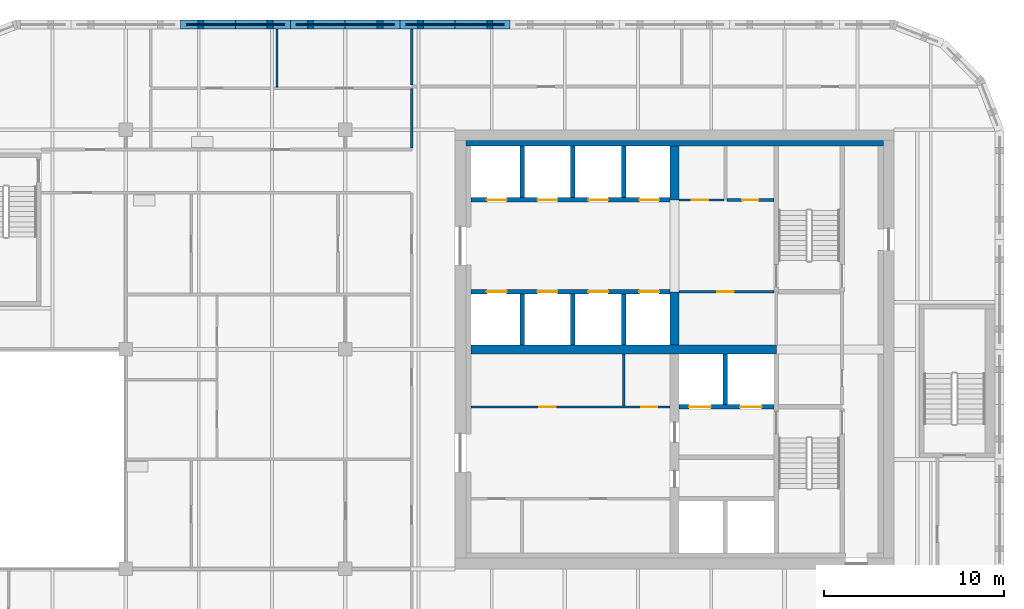
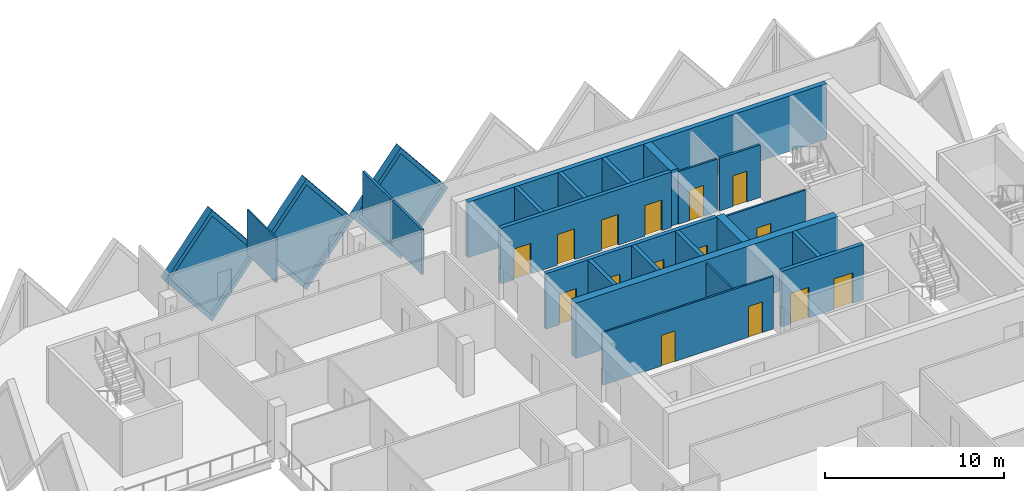
# One storey, part 8 of 12: 25 walls, 15 doors, 3 plates, 18 openings.
"""IFC4 building model written with IfcOpenShell, lengths in metres."""

from ifc_helpers import new_model, si_unit, direction, frame, frame_2d, origin, place, context, subcontext, project, spatial, polyline, rectangle, outline, extrude, faceted_brep, source, transform, mapped, material, layer, layer_set, type_object, element, fill, save


model = new_model("IFC4")

# Units and contexts
model_context = context("Model", 3, precision=1e-05, world=origin(), true_north=direction((0.0, 1.0)))
body_context = subcontext(model_context, "Body", "Model", "MODEL_VIEW")
ifc_project = project(units=[si_unit("LENGTHUNIT", "METRE"), si_unit("AREAUNIT", "SQUARE_METRE"), si_unit("VOLUMEUNIT", "CUBIC_METRE"), si_unit("PLANEANGLEUNIT", "RADIAN"), si_unit("MASSUNIT", "GRAM", prefix="KILO")], contexts=[model_context])

# Site, building, storey
site_placement = place(None, origin())
site = spatial("IfcSite", under=ifc_project, at=site_placement, CompositionType="ELEMENT")
building_placement = place(site_placement, origin())
building = spatial("IfcBuilding", under=site, at=building_placement, Name="Tessera Gate Towers", CompositionType="ELEMENT")
storey_placement = place(building_placement, frame((0.0, 0.0, 163.0)))
storey = spatial("IfcBuildingStorey", under=building, at=storey_placement, Name="L40", CompositionType="ELEMENT", Elevation=163.0)

# Wall, openings, doors
ifc_material_1 = material(Name="Concrete C40/50", Category="concrete")
ifc_layer_1 = layer(ifc_material_1, 0.25)
ifc_layer_set_1 = layer_set([ifc_layer_1], Name="CORE ENCLOSURE WALL 250")
wall_type_1 = type_object("IfcWallType", Name="CORE ENCLOSURE WALL 250", PredefinedType="SOLIDWALL", material=ifc_layer_set_1)
wall_1_placement = place(storey_placement, frame((31.39990234375, 39.800048828125, 0.0), z_axis=(0.0, 0.0, 1.0), x_axis=(1.0, 0.0, 0.0)))
wall_1 = element("IfcWall", 1, at=wall_1_placement, inside=storey, type_object=wall_type_1, Name="L40 shaft and stair enclosure wall", PredefinedType="SOLIDWALL", context=body_context, shape_type="SweptSolid", body=[
    extrude(rectangle(XDim=11.050048828125, YDim=0.25, at=frame_2d((5.52490234375, 0.0))), origin(), (0.0, 0.0, 1.0), 3.800048828125),
])
shared_shape_1 = source(origin(), body_context, "Body", "SweptSolid", [
    extrude(rectangle(XDim=1.10009765625, YDim=2.10009765625, at=frame_2d((0.550048828125, 1.050048828125))), frame((0.0, 0.135009765625, 0.0), z_axis=(0.0, -1.0, 0.0), x_axis=(1.0, 0.0, 0.0)), (0.0, 0.0, 1.0), 0.27001953125),
])
opening_1_placement = place(wall_1_placement, frame((0.862548828125, 0.0, 0.0)))
opening_1 = element("IfcOpeningElement", 2, at=opening_1_placement, cuts=wall_1, Name="Opening LD-HR1", PredefinedType="OPENING", context=body_context, shape_type="MappedRepresentation", body=[
    mapped(shared_shape_1, transform((0.0, 0.0, 0.0), scale=1.0)),
])
opening_2_placement = place(wall_1_placement, frame((3.6875, 0.0, 0.0)))
opening_2 = element("IfcOpeningElement", 3, at=opening_2_placement, cuts=wall_1, Name="Opening LD-HR2", PredefinedType="OPENING", context=body_context, shape_type="MappedRepresentation", body=[
    mapped(shared_shape_1, transform((0.0, 0.0, 0.0), scale=1.0)),
])
opening_3_placement = place(wall_1_placement, frame((6.512451171875, 0.0, 0.0)))
opening_3 = element("IfcOpeningElement", 4, at=opening_3_placement, cuts=wall_1, Name="Opening LD-HR3", PredefinedType="OPENING", context=body_context, shape_type="MappedRepresentation", body=[
    mapped(shared_shape_1, transform((0.0, 0.0, 0.0), scale=1.0)),
])
opening_4_placement = place(wall_1_placement, frame((9.33740234375, 0.0, 0.0)))
opening_4 = element("IfcOpeningElement", 5, at=opening_4_placement, cuts=wall_1, Name="Opening LD-HR4", PredefinedType="OPENING", context=body_context, shape_type="MappedRepresentation", body=[
    mapped(shared_shape_1, transform((0.0, 0.0, 0.0), scale=1.0)),
])
ifc_material_2 = material(Name="Stainless steel", Category="steel")
door_type_1 = type_object("IfcDoorType", Name="CORE DOOR LD 1100x2100", OperationType="DOUBLE_DOOR_SLIDING", PredefinedType="DOOR", material=ifc_material_2)
shared_shape_2 = source(origin(), body_context, "Body", "SweptSolid", [
    extrude(rectangle(XDim=1.10009765625, YDim=2.10009765625, at=frame_2d((0.550048828125, 1.050048828125))), frame((0.0, 0.02490234375, 0.0), z_axis=(0.0, -1.0, 0.0), x_axis=(1.0, 0.0, 0.0)), (0.0, 0.0, 1.0), 0.050048828125),
])
door_1_placement = place(opening_1_placement, origin())
door_1 = element("IfcDoor", 6, at=door_1_placement, inside=storey, type_object=door_type_1, Name="Landing door HR1 L40", OperationType="DOUBLE_DOOR_SLIDING", OverallHeight=2.10009765625, OverallWidth=1.10009765625, PredefinedType="DOOR", context=body_context, shape_type="MappedRepresentation", body=[
    mapped(shared_shape_2, transform((0.0, 0.0, 0.0), scale=1.0)),
])
fill(opening_1, door_1)
door_2_placement = place(opening_2_placement, origin())
door_2 = element("IfcDoor", 7, at=door_2_placement, inside=storey, type_object=door_type_1, Name="Landing door HR2 L40", OperationType="DOUBLE_DOOR_SLIDING", OverallHeight=2.10009765625, OverallWidth=1.10009765625, PredefinedType="DOOR", context=body_context, shape_type="MappedRepresentation", body=[
    mapped(shared_shape_2, transform((0.0, 0.0, 0.0), scale=1.0)),
])
fill(opening_2, door_2)
door_3_placement = place(opening_3_placement, origin())
door_3 = element("IfcDoor", 8, at=door_3_placement, inside=storey, type_object=door_type_1, Name="Landing door HR3 L40", OperationType="DOUBLE_DOOR_SLIDING", OverallHeight=2.10009765625, OverallWidth=1.10009765625, PredefinedType="DOOR", context=body_context, shape_type="MappedRepresentation", body=[
    mapped(shared_shape_2, transform((0.0, 0.0, 0.0), scale=1.0)),
])
fill(opening_3, door_3)
door_4_placement = place(opening_4_placement, origin())
door_4 = element("IfcDoor", 9, at=door_4_placement, inside=storey, type_object=door_type_1, Name="Landing door HR4 L40", OperationType="DOUBLE_DOOR_SLIDING", OverallHeight=2.10009765625, OverallWidth=1.10009765625, PredefinedType="DOOR", context=body_context, shape_type="MappedRepresentation", body=[
    mapped(shared_shape_2, transform((0.0, 0.0, 0.0), scale=1.0)),
])
fill(opening_4, door_4)

wall_2_placement = place(storey_placement, frame((42.449951171875, 44.89990234375, 0.0), z_axis=(0.0, 0.0, 1.0), x_axis=(-1.0, 0.0, 0.0)))
wall_2 = element("IfcWall", 10, at=wall_2_placement, inside=storey, type_object=wall_type_1, Name="L40 shaft and stair enclosure wall", PredefinedType="SOLIDWALL", context=body_context, shape_type="SweptSolid", body=[
    extrude(rectangle(XDim=11.050048828125, YDim=0.25, at=frame_2d((5.52490234375, 0.0))), origin(), (0.0, 0.0, 1.0), 3.800048828125),
])
opening_5_placement = place(wall_2_placement, frame((9.08740234375, 0.0, 0.0)))
opening_5 = element("IfcOpeningElement", 11, at=opening_5_placement, cuts=wall_2, Name="Opening LD-HR5", PredefinedType="OPENING", context=body_context, shape_type="MappedRepresentation", body=[
    mapped(shared_shape_1, transform((0.0, 0.0, 0.0), scale=1.0)),
])
opening_6_placement = place(wall_2_placement, frame((6.262451171875, 0.0, 0.0)))
opening_6 = element("IfcOpeningElement", 12, at=opening_6_placement, cuts=wall_2, Name="Opening LD-HR6", PredefinedType="OPENING", context=body_context, shape_type="MappedRepresentation", body=[
    mapped(shared_shape_1, transform((0.0, 0.0, 0.0), scale=1.0)),
])
opening_7_placement = place(wall_2_placement, frame((3.4375, 0.0, 0.0)))
opening_7 = element("IfcOpeningElement", 13, at=opening_7_placement, cuts=wall_2, Name="Opening LD-HR7", PredefinedType="OPENING", context=body_context, shape_type="MappedRepresentation", body=[
    mapped(shared_shape_1, transform((0.0, 0.0, 0.0), scale=1.0)),
])
opening_8_placement = place(wall_2_placement, frame((0.612548828125, 0.0, 0.0)))
opening_8 = element("IfcOpeningElement", 14, at=opening_8_placement, cuts=wall_2, Name="Opening LD-HR8", PredefinedType="OPENING", context=body_context, shape_type="MappedRepresentation", body=[
    mapped(shared_shape_1, transform((0.0, 0.0, 0.0), scale=1.0)),
])
door_5_placement = place(opening_5_placement, origin())
door_5 = element("IfcDoor", 15, at=door_5_placement, inside=storey, type_object=door_type_1, Name="Landing door HR5 L40", OperationType="DOUBLE_DOOR_SLIDING", OverallHeight=2.10009765625, OverallWidth=1.10009765625, PredefinedType="DOOR", context=body_context, shape_type="MappedRepresentation", body=[
    mapped(shared_shape_2, transform((0.0, 0.0, 0.0), scale=1.0)),
])
fill(opening_5, door_5)
door_6_placement = place(opening_6_placement, origin())
door_6 = element("IfcDoor", 16, at=door_6_placement, inside=storey, type_object=door_type_1, Name="Landing door HR6 L40", OperationType="DOUBLE_DOOR_SLIDING", OverallHeight=2.10009765625, OverallWidth=1.10009765625, PredefinedType="DOOR", context=body_context, shape_type="MappedRepresentation", body=[
    mapped(shared_shape_2, transform((0.0, 0.0, 0.0), scale=1.0)),
])
fill(opening_6, door_6)
door_7_placement = place(opening_7_placement, origin())
door_7 = element("IfcDoor", 17, at=door_7_placement, inside=storey, type_object=door_type_1, Name="Landing door HR7 L40", OperationType="DOUBLE_DOOR_SLIDING", OverallHeight=2.10009765625, OverallWidth=1.10009765625, PredefinedType="DOOR", context=body_context, shape_type="MappedRepresentation", body=[
    mapped(shared_shape_2, transform((0.0, 0.0, 0.0), scale=1.0)),
])
fill(opening_7, door_7)
door_8_placement = place(opening_8_placement, origin())
door_8 = element("IfcDoor", 18, at=door_8_placement, inside=storey, type_object=door_type_1, Name="Landing door HR8 L40", OperationType="DOUBLE_DOOR_SLIDING", OverallHeight=2.10009765625, OverallWidth=1.10009765625, PredefinedType="DOOR", context=body_context, shape_type="MappedRepresentation", body=[
    mapped(shared_shape_2, transform((0.0, 0.0, 0.0), scale=1.0)),
])
fill(opening_8, door_8)

wall_3_placement = place(storey_placement, frame((48.22509765625, 33.39990234375, 0.0), z_axis=(0.0, 0.0, 1.0), x_axis=(-1.0, 0.0, 0.0)))
wall_3 = element("IfcWall", 19, at=wall_3_placement, inside=storey, type_object=wall_type_1, Name="L40 shaft and stair enclosure wall", PredefinedType="SOLIDWALL", context=body_context, shape_type="SweptSolid", body=[
    extrude(rectangle(XDim=5.275146484375, YDim=0.25, at=frame_2d((2.6376953125, 0.0))), origin(), (0.0, 0.0, 1.0), 3.800048828125),
])
shared_shape_3 = source(origin(), body_context, "Body", "SweptSolid", [
    extrude(rectangle(XDim=1.199951171875, YDim=2.10009765625, at=frame_2d((0.60009765625, 1.050048828125))), frame((0.0, 0.135009765625, 0.0), z_axis=(0.0, -1.0, 0.0), x_axis=(1.0, 0.0, 0.0)), (0.0, 0.0, 1.0), 0.27001953125),
])
opening_9_placement = place(wall_3_placement, frame((3.512451171875, 0.0, 0.0)))
opening_9 = element("IfcOpeningElement", 20, at=opening_9_placement, cuts=wall_3, Name="Opening LD-FF1", PredefinedType="OPENING", context=body_context, shape_type="MappedRepresentation", body=[
    mapped(shared_shape_3, transform((0.0, 0.0, 0.0), scale=1.0)),
])
opening_10_placement = place(wall_3_placement, frame((0.6875, 0.0, 0.0)))
opening_10 = element("IfcOpeningElement", 21, at=opening_10_placement, cuts=wall_3, Name="Opening LD-FF2", PredefinedType="OPENING", context=body_context, shape_type="MappedRepresentation", body=[
    mapped(shared_shape_3, transform((0.0, 0.0, 0.0), scale=1.0)),
])
ifc_material_3 = material(Name="Stainless steel", Category="steel")
door_type_2 = type_object("IfcDoorType", Name="CORE DOOR LD1200 1200x2100", OperationType="DOUBLE_DOOR_SLIDING", PredefinedType="DOOR", material=ifc_material_3)
shared_shape_4 = source(origin(), body_context, "Body", "SweptSolid", [
    extrude(rectangle(XDim=1.199951171875, YDim=2.10009765625, at=frame_2d((0.60009765625, 1.050048828125))), frame((0.0, 0.02490234375, 0.0), z_axis=(0.0, -1.0, 0.0), x_axis=(1.0, 0.0, 0.0)), (0.0, 0.0, 1.0), 0.050048828125),
])
door_9_placement = place(opening_9_placement, origin())
door_9 = element("IfcDoor", 22, at=door_9_placement, inside=storey, type_object=door_type_2, Name="Landing door FF1 L40", OperationType="DOUBLE_DOOR_SLIDING", OverallHeight=2.10009765625, OverallWidth=1.199951171875, PredefinedType="DOOR", context=body_context, shape_type="MappedRepresentation", body=[
    mapped(shared_shape_4, transform((0.0, 0.0, 0.0), scale=1.0)),
])
fill(opening_9, door_9)
door_10_placement = place(opening_10_placement, origin())
door_10 = element("IfcDoor", 23, at=door_10_placement, inside=storey, type_object=door_type_2, Name="Landing door FF2 L40", OperationType="DOUBLE_DOOR_SLIDING", OverallHeight=2.10009765625, OverallWidth=1.199951171875, PredefinedType="DOOR", context=body_context, shape_type="MappedRepresentation", body=[
    mapped(shared_shape_4, transform((0.0, 0.0, 0.0), scale=1.0)),
])
fill(opening_10, door_10)

# Walls
for number, where, z_axis, x_axis, name in (
    (24, (34.22509765625, 36.85009765625, 0.0), (0.0, 0.0, 1.0), (0.0, 1.0, 0.0), "L40 shaft and stair enclosure wall"),
    (25, (37.050048828125, 36.85009765625, 0.0), (0.0, 0.0, 1.0), (0.0, 1.0, 0.0), "L40 shaft and stair enclosure wall"),
    (26, (39.875, 36.85009765625, 0.0), (0.0, 0.0, 1.0), (0.0, 1.0, 0.0), "L40 shaft and stair enclosure wall"),
):
    element("IfcWall", number, at=place(storey_placement, frame(where, z_axis=z_axis, x_axis=x_axis)), inside=storey, type_object=wall_type_1, Name=name, PredefinedType="SOLIDWALL", context=body_context, shape_type="SweptSolid", body=[
        extrude(rectangle(XDim=2.824951171875, YDim=0.25, at=frame_2d((1.41259765625, 0.0))), origin(), (0.0, 0.0, 1.0), 3.800048828125),
    ])
wall_4_placement = place(storey_placement, frame((45.52490234375, 33.52490234375, 0.0), z_axis=(0.0, 0.0, 1.0), x_axis=(0.0, 1.0, 0.0)))
element("IfcWall", 27, at=wall_4_placement, inside=storey, type_object=wall_type_1, Name="L40 shaft and stair enclosure wall", PredefinedType="SOLIDWALL", context=body_context, shape_type="SweptSolid", body=[
    extrude(rectangle(XDim=2.8251953125, YDim=0.25, at=frame_2d((1.41259765625, 0.0))), origin(), (0.0, 0.0, 1.0), 3.800048828125),
])
for number, where, z_axis, x_axis, name in (
    (28, (34.22509765625, 45.02490234375, 0.0), (0.0, 0.0, 1.0), (0.0, 1.0, 0.0), "L40 shaft and stair enclosure wall"),
    (29, (37.050048828125, 45.02490234375, 0.0), (0.0, 0.0, 1.0), (0.0, 1.0, 0.0), "L40 shaft and stair enclosure wall"),
    (30, (39.875, 45.02490234375, 0.0), (0.0, 0.0, 1.0), (0.0, 1.0, 0.0), "L40 shaft and stair enclosure wall"),
):
    element("IfcWall", number, at=place(storey_placement, frame(where, z_axis=z_axis, x_axis=x_axis)), inside=storey, type_object=wall_type_1, Name=name, PredefinedType="SOLIDWALL", context=body_context, shape_type="SweptSolid", body=[
        extrude(rectangle(XDim=2.875, YDim=0.25, at=frame_2d((1.4375, 0.0))), origin(), (0.0, 0.0, 1.0), 3.800048828125),
    ])

# Wall, openings, doors
ifc_material_4 = material(Name="Gypsum board on steel studs", Category="steel")
ifc_layer_2 = layer(ifc_material_4, 0.1201171875)
ifc_layer_set_2 = layer_set([ifc_layer_2], Name="CORE PARTITION 120")
wall_type_2 = type_object("IfcWallType", Name="CORE PARTITION 120", PredefinedType="PARTITIONING", material=ifc_layer_set_2)
wall_5_placement = place(storey_placement, frame((31.39990234375, 33.39990234375, 0.0), z_axis=(0.0, 0.0, 1.0), x_axis=(1.0, 0.0, 0.0)))
wall_5 = element("IfcWall", 31, at=wall_5_placement, inside=storey, type_object=wall_type_2, Name="L40 core partition", PredefinedType="PARTITIONING", context=body_context, shape_type="SweptSolid", body=[
    extrude(rectangle(XDim=11.050048828125, YDim=0.1201171875, at=frame_2d((5.52490234375, 0.0))), origin(), (0.0, 0.0, 1.0), 3.60009765625),
])
shared_shape_5 = source(origin(), body_context, "Body", "SweptSolid", [
    extrude(rectangle(XDim=0.89990234375, YDim=2.10009765625, at=frame_2d((0.449951171875, 1.050048828125))), frame((0.0, 0.070068359375, 0.0), z_axis=(0.0, -1.0, 0.0), x_axis=(1.0, 0.0, 0.0)), (0.0, 0.0, 1.0), 0.14013671875),
])
opening_11_placement = place(wall_5_placement, frame((3.78759765625, 0.0, 0.0)))
opening_11 = element("IfcOpeningElement", 32, at=opening_11_placement, cuts=wall_5, Name="Opening RD-T1-26-09", PredefinedType="OPENING", context=body_context, shape_type="MappedRepresentation", body=[
    mapped(shared_shape_5, transform((0.0, 0.0, 0.0), scale=1.0)),
])
opening_12_placement = place(wall_5_placement, frame((9.4375, 0.0, 0.0)))
opening_12 = element("IfcOpeningElement", 33, at=opening_12_placement, cuts=wall_5, Name="Opening RD-T1-26-10", PredefinedType="OPENING", context=body_context, shape_type="MappedRepresentation", body=[
    mapped(shared_shape_5, transform((0.0, 0.0, 0.0), scale=1.0)),
])
ifc_material_5 = material(Name="Hollow steel fire door", Category="steel")
door_type_3 = type_object("IfcDoorType", Name="CORE DOOR RD 900x2100", OperationType="NOTDEFINED", PredefinedType="DOOR", material=ifc_material_5)
shared_shape_6 = source(origin(), body_context, "Body", "SweptSolid", [
    extrude(rectangle(XDim=0.89990234375, YDim=2.10009765625, at=frame_2d((0.449951171875, 1.050048828125))), frame((0.0, 0.02490234375, 0.0), z_axis=(0.0, -1.0, 0.0), x_axis=(1.0, 0.0, 0.0)), (0.0, 0.0, 1.0), 0.050048828125),
])
door_11_placement = place(opening_11_placement, origin())
door_11 = element("IfcDoor", 34, at=door_11_placement, inside=storey, type_object=door_type_3, Name="Core room door", OperationType="SINGLE_SWING_LEFT", OverallHeight=2.10009765625, OverallWidth=0.89990234375, PredefinedType="DOOR", context=body_context, shape_type="MappedRepresentation", body=[
    mapped(shared_shape_6, transform((0.0, 0.0, 0.0), scale=1.0)),
])
fill(opening_11, door_11)
door_12_placement = place(opening_12_placement, origin())
door_12 = element("IfcDoor", 35, at=door_12_placement, inside=storey, type_object=door_type_3, Name="Core room door", OperationType="SINGLE_SWING_RIGHT", OverallHeight=2.10009765625, OverallWidth=0.89990234375, PredefinedType="DOOR", context=body_context, shape_type="MappedRepresentation", body=[
    mapped(shared_shape_6, transform((0.0, 0.0, 0.0), scale=1.0)),
])
fill(opening_12, door_12)

# Wall, opening, door
wall_6_placement = place(storey_placement, frame((48.22509765625, 39.800048828125, 0.0), z_axis=(0.0, 0.0, 1.0), x_axis=(-1.0, 0.0, 0.0)))
wall_6 = element("IfcWall", 36, at=wall_6_placement, inside=storey, type_object=wall_type_2, Name="L40 core partition", PredefinedType="PARTITIONING", context=body_context, shape_type="SweptSolid", body=[
    extrude(rectangle(XDim=5.275146484375, YDim=0.1201171875, at=frame_2d((2.6376953125, 0.0))), origin(), (0.0, 0.0, 1.0), 3.60009765625),
])
opening_13_placement = place(wall_6_placement, frame((2.25, 0.0, 0.0)))
opening_13 = element("IfcOpeningElement", 37, at=opening_13_placement, cuts=wall_6, Name="Opening RD-T1-26-12", PredefinedType="OPENING", context=body_context, shape_type="MappedRepresentation", body=[
    mapped(shared_shape_5, transform((0.0, 0.0, 0.0), scale=1.0)),
])
door_13_placement = place(opening_13_placement, origin())
door_13 = element("IfcDoor", 38, at=door_13_placement, inside=storey, type_object=door_type_3, Name="Core room door", OperationType="SINGLE_SWING_RIGHT", OverallHeight=2.10009765625, OverallWidth=0.89990234375, PredefinedType="DOOR", context=body_context, shape_type="MappedRepresentation", body=[
    mapped(shared_shape_6, transform((0.0, 0.0, 0.0), scale=1.0)),
])
fill(opening_13, door_13)

# Wall
wall_7_placement = place(storey_placement, frame((39.875, 33.4599609375, 0.0), z_axis=(0.0, 0.0, 1.0), x_axis=(0.0, 1.0, 0.0)))
element("IfcWall", 39, at=wall_7_placement, inside=storey, type_object=wall_type_2, Name="L40 core partition", PredefinedType="PARTITIONING", context=body_context, shape_type="SweptSolid", body=[
    extrude(rectangle(XDim=2.89013671875, YDim=0.1201171875, at=frame_2d((1.445068359375, 0.0))), origin(), (0.0, 0.0, 1.0), 3.60009765625),
])

# Wall, opening, door
wall_8_placement = place(storey_placement, frame((42.949951171875, 44.89990234375, 0.0), z_axis=(0.0, 0.0, 1.0), x_axis=(1.0, 0.0, 0.0)))
wall_8 = element("IfcWall", 40, at=wall_8_placement, inside=storey, type_object=wall_type_2, Name="L40 core partition", PredefinedType="PARTITIONING", context=body_context, shape_type="SweptSolid", body=[
    extrude(rectangle(XDim=2.5, YDim=0.1201171875, at=frame_2d((1.25, 0.0))), origin(), (0.0, 0.0, 1.0), 3.60009765625),
])
opening_14_placement = place(wall_8_placement, frame((0.71240234375, 0.0, 0.0)))
opening_14 = element("IfcOpeningElement", 41, at=opening_14_placement, cuts=wall_8, Name="Opening RD-T1-26-13", PredefinedType="OPENING", context=body_context, shape_type="MappedRepresentation", body=[
    mapped(shared_shape_5, transform((0.0, 0.0, 0.0), scale=1.0)),
])
door_14_placement = place(opening_14_placement, origin())
door_14 = element("IfcDoor", 42, at=door_14_placement, inside=storey, type_object=door_type_3, Name="Core room door", OperationType="SINGLE_SWING_LEFT", OverallHeight=2.10009765625, OverallWidth=0.89990234375, PredefinedType="DOOR", context=body_context, shape_type="MappedRepresentation", body=[
    mapped(shared_shape_6, transform((0.0, 0.0, 0.0), scale=1.0)),
])
fill(opening_14, door_14)

# Walls
ifc_material_6 = material(Name="Concrete C50/60", Category="concrete")
ifc_layer_3 = layer(ifc_material_6, 0.5)
ifc_layer_set_3 = layer_set([ifc_layer_3], Name="CORE SPINE WALL 500 C50/60")
wall_type_3 = type_object("IfcWallType", Name="CORE SPINE WALL 500 C50/60", PredefinedType="SHEAR", material=ifc_layer_set_3)
wall_9_placement = place(storey_placement, frame((31.39990234375, 36.60009765625, 0.0), z_axis=(0.0, 0.0, 1.0), x_axis=(1.0, 0.0, 0.0)))
element("IfcWall", 43, at=wall_9_placement, inside=storey, type_object=wall_type_3, Name="Core wall spine L40", PredefinedType="SHEAR", context=body_context, shape_type="SweptSolid", body=[
    extrude(rectangle(XDim=16.9501953125, YDim=0.5, at=frame_2d((8.47509765625, 0.0))), origin(), (0.0, 0.0, 1.0), 3.800048828125),
])
wall_10_placement = place(storey_placement, frame((42.699951171875, 36.85009765625, 0.0), z_axis=(0.0, 0.0, 1.0), x_axis=(0.0, 1.0, 0.0)))
element("IfcWall", 44, at=wall_10_placement, inside=storey, type_object=wall_type_3, Name="Core wall spine L40", PredefinedType="SHEAR", context=body_context, shape_type="SweptSolid", body=[
    extrude(rectangle(XDim=2.949951171875, YDim=0.5, at=frame_2d((1.47509765625, 0.0))), origin(), (0.0, 0.0, 1.0), 3.800048828125),
])
wall_11_placement = place(storey_placement, frame((42.699951171875, 44.89990234375, 0.0), z_axis=(0.0, 0.0, 1.0), x_axis=(0.0, 1.0, 0.0)))
element("IfcWall", 45, at=wall_11_placement, inside=storey, type_object=wall_type_3, Name="Core wall spine L40", PredefinedType="SHEAR", context=body_context, shape_type="SweptSolid", body=[
    extrude(rectangle(XDim=3.0, YDim=0.5, at=frame_2d((1.5, 0.0))), origin(), (0.0, 0.0, 1.0), 3.800048828125),
])
ifc_material_7 = material(Name="Concrete C50/60", Category="concrete")
ifc_layer_4 = layer(ifc_material_7, 0.300048828125)
ifc_layer_set_4 = layer_set([ifc_layer_4], Name="CORE WALL THICKENING 300")
wall_type_4 = type_object("IfcWallType", Name="CORE WALL THICKENING 300", PredefinedType="SOLIDWALL", material=ifc_layer_set_4)
wall_12_placement = place(storey_placement, frame((31.10009765625, 48.050048828125, 0.0), z_axis=(0.0, 0.0, 1.0), x_axis=(1.0, 0.0, 0.0)))
element("IfcWall", 46, at=wall_12_placement, inside=storey, type_object=wall_type_4, Name="Core wall thickening N L40", PredefinedType="SOLIDWALL", context=body_context, shape_type="SweptSolid", body=[
    extrude(rectangle(XDim=23.199951171875, YDim=0.300048828125, at=frame_2d((11.60009765625, 0.0))), origin(), (0.0, 0.0, 1.0), 3.800048828125),
])
ifc_material_8 = material(Name="Gypsum board on steel studs, mineral wool", Category="steel")
ifc_layer_5 = layer(ifc_material_8, 0.14990234375)
ifc_layer_set_5 = layer_set([ifc_layer_5], Name="CORRIDOR WALL 150")
wall_type_5 = type_object("IfcWallType", Name="CORRIDOR WALL 150", PredefinedType="PARTITIONING", material=ifc_layer_set_5)
wall_13_placement = place(storey_placement, frame((28.10009765625, 47.77587890625, 0.0), z_axis=(0.0, 0.0, 1.0), x_axis=(0.0, 1.0, 0.0)))
element("IfcWall", 47, at=wall_13_placement, inside=storey, type_object=wall_type_5, Name="T1-L40-PW-042", PredefinedType="PARTITIONING", context=body_context, shape_type="SweptSolid", body=[
    extrude(rectangle(XDim=3.32421875, YDim=0.14990234375, at=frame_2d((1.662109375, 0.0))), origin(), (0.0, 0.0, 1.0), 3.06689453125),
])
ifc_material_9 = material(Name="Gypsum board on steel studs", Category="steel")
ifc_layer_6 = layer(ifc_material_9, 0.10009765625)
ifc_layer_set_6 = layer_set([ifc_layer_6], Name="PARTITION 100")
wall_type_6 = type_object("IfcWallType", Name="PARTITION 100", PredefinedType="PARTITIONING", material=ifc_layer_set_6)
wall_14_placement = place(storey_placement, frame((20.60498046875, 51.176025390625, 0.0), z_axis=(0.0, 0.0, 1.0), x_axis=(0.0, 1.0, 0.0)))
element("IfcWall", 48, at=wall_14_placement, inside=storey, type_object=wall_type_6, Name="T1-L40-PW-047", PredefinedType="PARTITIONING", context=body_context, shape_type="SweptSolid", body=[
    extrude(rectangle(XDim=3.223876953125, YDim=0.10009765625, at=frame_2d((1.61181640625, 0.0))), origin(), (0.0, 0.0, 1.0), 3.06689453125),
])

# Wall, opening, door
ifc_material_10 = material(Name="Gypsum board on steel studs", Category="steel")
ifc_layer_7 = layer(ifc_material_10, 0.14990234375)
ifc_layer_set_7 = layer_set([ifc_layer_7], Name="SERVICE ROOM WALL 150")
wall_type_7 = type_object("IfcWallType", Name="SERVICE ROOM WALL 150", PredefinedType="PARTITIONING", material=ifc_layer_set_7)
wall_15_placement = place(storey_placement, frame((45.60009765625, 44.89990234375, 0.0), z_axis=(0.0, 0.0, 1.0), x_axis=(1.0, 0.0, 0.0)))
wall_15 = element("IfcWall", 49, at=wall_15_placement, inside=storey, type_object=wall_type_7, Name="L40 service room wall", PredefinedType="PARTITIONING", context=body_context, shape_type="SweptSolid", body=[
    extrude(rectangle(XDim=2.625, YDim=0.14990234375, at=frame_2d((1.3125, 0.0))), origin(), (0.0, 0.0, 1.0), 3.60009765625),
])
shared_shape_7 = source(origin(), body_context, "Body", "SweptSolid", [
    extrude(rectangle(XDim=0.89990234375, YDim=2.10009765625, at=frame_2d((0.449951171875, 1.050048828125))), frame((0.0, 0.0849609375, 0.0), z_axis=(0.0, -1.0, 0.0), x_axis=(1.0, 0.0, 0.0)), (0.0, 0.0, 1.0), 0.169921875),
])
opening_15_placement = place(wall_15_placement, frame((0.85009765625, 0.0, 0.0)))
opening_15 = element("IfcOpeningElement", 50, at=opening_15_placement, cuts=wall_15, Name="Opening RD-T1-26-14", PredefinedType="OPENING", context=body_context, shape_type="MappedRepresentation", body=[
    mapped(shared_shape_7, transform((0.0, 0.0, 0.0), scale=1.0)),
])
door_15_placement = place(opening_15_placement, origin())
door_15 = element("IfcDoor", 51, at=door_15_placement, inside=storey, type_object=door_type_3, Name="Core room door", OperationType="SINGLE_SWING_LEFT", OverallHeight=2.10009765625, OverallWidth=0.89990234375, PredefinedType="DOOR", context=body_context, shape_type="MappedRepresentation", body=[
    mapped(shared_shape_6, transform((0.0, 0.0, 0.0), scale=1.0)),
])
fill(opening_15, door_15)

# Wall
ifc_material_11 = material(Name="Gypsum board on steel studs, mineral wool", Category="steel")
ifc_layer_8 = layer(ifc_material_11, 0.14990234375)
ifc_layer_set_8 = layer_set([ifc_layer_8], Name="TENANCY WALL 150")
wall_type_8 = type_object("IfcWallType", Name="TENANCY WALL 150", PredefinedType="PARTITIONING", material=ifc_layer_set_8)
wall_16_placement = place(storey_placement, frame((28.10009765625, 51.27587890625, 0.0), z_axis=(0.0, 0.0, 1.0), x_axis=(0.0, 1.0, 0.0)))
element("IfcWall", 52, at=wall_16_placement, inside=storey, type_object=wall_type_8, Name="T1-L40-PW-049", PredefinedType="PARTITIONING", context=body_context, shape_type="SweptSolid", body=[
    extrude(rectangle(XDim=3.1240234375, YDim=0.14990234375, at=frame_2d((1.56201171875, 0.0))), origin(), (0.0, 0.0, 1.0), 3.06689453125),
])

# Wall, opening, plate
ifc_material_12 = material(Name="Precast concrete C60/75 white", Category="concrete")
ifc_layer_9 = layer(ifc_material_12, 0.5)
ifc_layer_set_9 = layer_set([ifc_layer_9], Name="TS1 tessera")
wall_type_9 = type_object("IfcWallType", Name="TS1 tessera", PredefinedType="SOLIDWALL", material=ifc_layer_set_9)
shared_shape_8 = source(origin(), body_context, "Body", "Brep", [
    faceted_brep([(3.050048828125, -0.25, 0.0), (6.099853515625, -0.25, 3.7998046875), (6.099853515625, -0.25, 3.80029296875), (3.050048828125, -0.25, 7.60009765625), (0.0, -0.25, 3.800048828125), (0.0, 0.25, 3.800048828125), (3.050048828125, 0.25, 7.60009765625), (6.099853515625, 0.25, 3.80029296875), (6.099853515625, 0.25, 3.7998046875), (3.050048828125, 0.25, 0.0)], [[[0, 1, 2, 3, 4]], [[5, 6, 7, 8, 9]], [[9, 8, 1, 0]], [[7, 6, 3, 2]], [[6, 5, 4, 3]], [[5, 9, 0, 4]], [[1, 8, 7, 2]]]),
])
wall_17_placement = place(storey_placement, frame((27.449951171875, 54.64990234375, -3.800048828125), z_axis=(0.0, 0.0, 1.0), x_axis=(-1.0, 0.0, 0.0)))
wall_17 = element("IfcWall", 53, at=wall_17_placement, inside=storey, type_object=wall_type_9, Name="Precast tessera T1 TS1-0681", PredefinedType="SOLIDWALL", context=body_context, shape_type="MappedRepresentation", body=[
    mapped(shared_shape_8, transform((0.0, 0.0, 0.0), scale=1.0)),
])
shared_shape_9 = source(origin(), body_context, "Body", "SweptSolid", [
    extrude(outline(polyline([(3.050048828125, 0.3994140625), (5.779541015625, 3.800048828125), (3.050048828125, 7.20068359375), (0.320556640625, 3.800048828125), (3.050048828125, 0.3994140625)])), frame((0.0, 0.260009765625, 0.0), z_axis=(0.0, -1.0, 0.0), x_axis=(1.0, 0.0, 0.0)), (0.0, 0.0, 1.0), 0.52001953125),
])
opening_16_placement = place(wall_17_placement, origin())
opening_16 = element("IfcOpeningElement", 54, at=opening_16_placement, cuts=wall_17, Name="Opening T1-PL2-1387", PredefinedType="OPENING", context=body_context, shape_type="MappedRepresentation", body=[
    mapped(shared_shape_9, transform((0.0, 0.0, 0.0), scale=1.0)),
])
ifc_material_13 = material(Name="Low-e laminated glass", Category="glass")
ifc_layer_10 = layer(ifc_material_13, 0.06005859375)
ifc_layer_set_10 = layer_set([ifc_layer_10], Name="PL2 rhombic pane")
plate_type = type_object("IfcPlateType", Name="PL2 rhombic pane", PredefinedType="SHEET", material=ifc_layer_set_10)
shared_shape_10 = source(origin(), body_context, "Body", "SweptSolid", [
    extrude(outline(polyline([(3.050048828125, 0.3994140625), (5.779541015625, 3.800048828125), (3.050048828125, 7.20068359375), (0.320556640625, 3.800048828125), (3.050048828125, 0.3994140625)])), frame((0.0, 0.030029296875, 0.0), z_axis=(0.0, -1.0, 0.0), x_axis=(1.0, 0.0, 0.0)), (0.0, 0.0, 1.0), 0.06005859375),
])
plate_1_placement = place(opening_16_placement, origin())
plate_1 = element("IfcPlate", 55, at=plate_1_placement, inside=storey, type_object=plate_type, Name="Glass pane T1 PL2-1387", PredefinedType="SHEET", context=body_context, shape_type="MappedRepresentation", body=[
    mapped(shared_shape_10, transform((0.0, 0.0, 0.0), scale=1.0)),
])
fill(opening_16, plate_1)

shared_shape_11 = source(origin(), body_context, "Body", "SweptSolid", [
    extrude(outline(polyline([(3.050048828125, 0.0), (6.10009765625, 3.800048828125), (3.050048828125, 7.60009765625), (0.0, 3.800048828125), (3.050048828125, 0.0)])), frame((0.0, 0.25, 0.0), z_axis=(0.0, -1.0, 0.0), x_axis=(1.0, 0.0, 0.0)), (0.0, 0.0, 1.0), 0.5),
])
wall_18_placement = place(storey_placement, frame((33.550048828125, 54.64990234375, -3.800048828125), z_axis=(0.0, 0.0, 1.0), x_axis=(-1.0, 0.0, 0.0)))
wall_18 = element("IfcWall", 56, at=wall_18_placement, inside=storey, type_object=wall_type_9, Name="Precast tessera T1 TS1-0680", PredefinedType="SOLIDWALL", context=body_context, shape_type="MappedRepresentation", body=[
    mapped(shared_shape_11, transform((0.0, 0.0, 0.0), scale=1.0)),
])
opening_17_placement = place(wall_18_placement, origin())
opening_17 = element("IfcOpeningElement", 57, at=opening_17_placement, cuts=wall_18, Name="Opening T1-PL2-1386", PredefinedType="OPENING", context=body_context, shape_type="MappedRepresentation", body=[
    mapped(shared_shape_9, transform((0.0, 0.0, 0.0), scale=1.0)),
])
plate_2_placement = place(opening_17_placement, origin())
plate_2 = element("IfcPlate", 58, at=plate_2_placement, inside=storey, type_object=plate_type, Name="Glass pane T1 PL2-1386", PredefinedType="SHEET", context=body_context, shape_type="MappedRepresentation", body=[
    mapped(shared_shape_10, transform((0.0, 0.0, 0.0), scale=1.0)),
])
fill(opening_17, plate_2)

wall_19_placement = place(storey_placement, frame((21.35009765625, 54.64990234375, -3.800048828125), z_axis=(0.0, 0.0, 1.0), x_axis=(-1.0, 0.0, 0.0)))
wall_19 = element("IfcWall", 59, at=wall_19_placement, inside=storey, type_object=wall_type_9, Name="Precast tessera T1 TS1-0682", PredefinedType="SOLIDWALL", context=body_context, shape_type="MappedRepresentation", body=[
    mapped(shared_shape_11, transform((0.0, 0.0, 0.0), scale=1.0)),
])
opening_18_placement = place(wall_19_placement, origin())
opening_18 = element("IfcOpeningElement", 60, at=opening_18_placement, cuts=wall_19, Name="Opening T1-PL2-1388", PredefinedType="OPENING", context=body_context, shape_type="MappedRepresentation", body=[
    mapped(shared_shape_9, transform((0.0, 0.0, 0.0), scale=1.0)),
])
plate_3_placement = place(opening_18_placement, origin())
plate_3 = element("IfcPlate", 61, at=plate_3_placement, inside=storey, type_object=plate_type, Name="Glass pane T1 PL2-1388", PredefinedType="SHEET", context=body_context, shape_type="MappedRepresentation", body=[
    mapped(shared_shape_10, transform((0.0, 0.0, 0.0), scale=1.0)),
])
fill(opening_18, plate_3)

save(model, "model.ifc")
